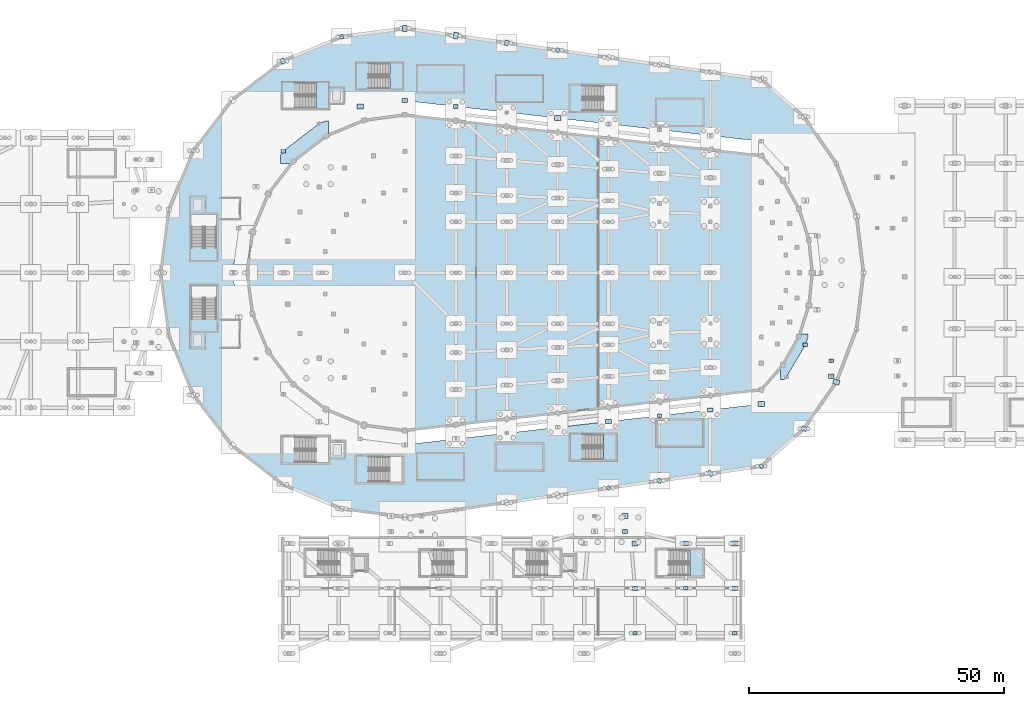
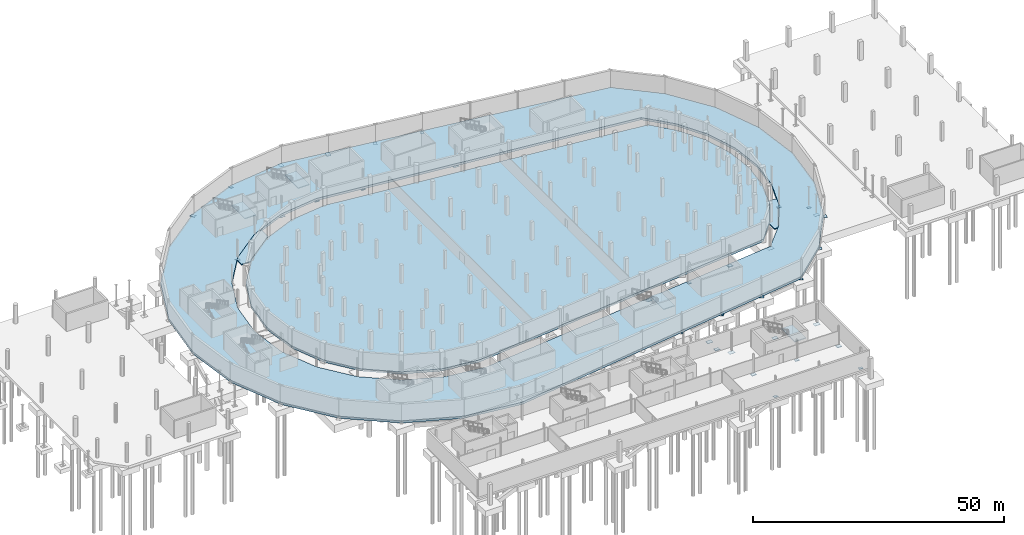
# One storey, part 36 of 55: 34 plates, 8 slabs, 4 elements without a shape of their own.
"""IFC4 building model written with IfcOpenShell, lengths in metres."""

from ifc_helpers import new_model, si_unit, direction, frame, origin, origin_2d, place, context, subcontext, project, spatial, polyline, rectangle, outline, extrude, material, layer, layer_set, type_object, element, aggregate, save


model = new_model("IFC4")

# Units and contexts
model_context = context("Model", 3, precision=1e-05, world=origin(), true_north=direction((0.0, 1.0)))
body_context = subcontext(model_context, "Body", "Model", "MODEL_VIEW")
ifc_project = project(units=[si_unit("LENGTHUNIT", "METRE"), si_unit("AREAUNIT", "SQUARE_METRE"), si_unit("VOLUMEUNIT", "CUBIC_METRE"), si_unit("PLANEANGLEUNIT", "RADIAN"), si_unit("MASSUNIT", "GRAM", prefix="KILO")], contexts=[model_context])

# Site, building, storey
site_placement = place(None, origin())
site = spatial("IfcSite", under=ifc_project, at=site_placement, CompositionType="ELEMENT")
building_placement = place(site_placement, origin())
building = spatial("IfcBuilding", under=site, at=building_placement, Name="Sohan Crest Arena", CompositionType="ELEMENT")
storey_placement = place(building_placement, frame((0.0, 0.0, -4.5)))
storey = spatial("IfcBuildingStorey", under=building, at=storey_placement, Name="B1", CompositionType="ELEMENT", Elevation=-4.5)

# Slabs
ifc_material_1 = material(Name="Concrete C40/50", Category="concrete")
ifc_layer_1 = layer(ifc_material_1, 0.550048828125, Name="Concrete C40/50")
ifc_layer_set_1 = layer_set([ifc_layer_1], Name="Concrete C40/50")
slab_type_1 = type_object("IfcSlabType", Name="SL-BASE2", PredefinedType="BASESLAB", material=ifc_layer_set_1)
slab_1_placement = place(storey_placement, frame((0.0, 0.0, -0.550048828125)))
element("IfcSlab", 1, at=slab_1_placement, inside=storey, type_object=slab_type_1, Name="Arena bowl B1 base slab SL-B1-V1", PredefinedType="BASESLAB", context=body_context, shape_type="SweptSolid", body=[
    extrude(outline(polyline([(98.0, 109.0), (89.97705078125, 107.944091796875), (82.5, 104.846923828125), (76.080078125, 99.919921875), (71.153076171875, 93.5), (68.055908203125, 86.02294921875), (67.0, 78.0), (68.055908203125, 69.97705078125), (71.153076171875, 62.5), (76.080078125, 56.080078125), (82.5, 51.153076171875), (89.97705078125, 48.055908203125), (98.0, 47.0), (168.0, 55.0), (172.242919921875, 59.845947265625), (175.408935546875, 65.455078125), (177.363037109375, 71.593017578125), (178.02294921875, 78.0), (177.363037109375, 84.406982421875), (175.408935546875, 90.544921875), (172.242919921875, 96.154052734375), (168.0, 101.0), (98.0, 109.0)])), origin(), (0.0, 0.0, 1.0), 0.550048828125),
])
slab_2_placement = place(storey_placement, frame((0.0, 0.0, -0.550048828125)))
element("IfcSlab", 2, at=slab_2_placement, inside=storey, type_object=slab_type_1, Name="Concourse ring B1 foundation base slab SL-B1-V2", PredefinedType="BASESLAB", context=body_context, shape_type="SweptSolid", body=[
    extrude(outline(polyline([(98.0, 126.0), (85.576904296875, 124.364013671875), (74.0, 119.569091796875), (64.05908203125, 111.94091796875), (56.430908203125, 102.0), (51.635986328125, 90.423095703125), (50.0, 78.0), (51.635986328125, 65.576904296875), (56.430908203125, 54.0), (64.05908203125, 44.05908203125), (74.0, 36.430908203125), (85.576904296875, 31.635986328125), (98.0, 30.0), (168.0, 40.0), (176.383056640625, 47.35498046875), (182.7490234375, 56.510986328125), (186.72509765625, 66.929931640625), (188.076904296875, 78.0), (186.72509765625, 89.070068359375), (182.7490234375, 99.489013671875), (176.383056640625, 108.64501953125), (168.0, 116.0), (98.0, 126.0)]), holes=[polyline([(98.0, 111.800048828125), (89.251953125, 110.64794921875), (81.10009765625, 107.27197265625), (74.10009765625, 101.89990234375), (68.72802734375, 94.89990234375), (65.35205078125, 86.748046875), (64.199951171875, 78.0), (65.35205078125, 69.251953125), (68.72802734375, 61.10009765625), (74.10009765625, 54.10009765625), (81.10009765625, 48.72802734375), (89.251953125, 45.35205078125), (98.0, 44.199951171875), (168.0, 52.199951171875), (172.9609375, 57.547119140625), (176.674072265625, 63.824951171875), (178.971923828125, 70.748046875), (179.75, 78.0), (178.971923828125, 85.251953125), (176.674072265625, 92.175048828125), (172.9609375, 98.452880859375), (168.0, 103.800048828125), (98.0, 111.800048828125)])]), origin(), (0.0, 0.0, 1.0), 0.550048828125),
])
ifc_layer_2 = layer(ifc_material_1, 0.25, Name="Concrete C40/50")
ifc_layer_set_2 = layer_set([ifc_layer_2], Name="Concrete C40/50")
slab_type_2 = type_object("IfcSlabType", Name="SL-FLR3", PredefinedType="FLOOR", material=ifc_layer_set_2)
slab_3_placement = place(storey_placement, frame((0.0, 0.0, -0.25)))
element("IfcSlab", 3, at=slab_3_placement, inside=storey, type_object=slab_type_2, Name="Seismic joint threshold slab B1 SL-TH-B1-02", PredefinedType="FLOOR", context=body_context, shape_type="SweptSolid", body=[
    extrude(outline(polyline([(74.10009765625, 101.89990234375), (81.10009765625, 107.27197265625), (82.306884765625, 107.77197265625), (83.0, 107.77197265625), (83.0, 105.053955078125), (82.5, 104.846923828125), (76.080078125, 99.919921875), (75.696044921875, 99.419921875), (73.60009765625, 99.419921875), (73.60009765625, 101.248046875), (74.10009765625, 101.89990234375)])), origin(), (0.0, 0.0, 1.0), 0.25),
])
slab_4_placement = place(storey_placement, frame((0.0, 0.0, -0.25)))
element("IfcSlab", 4, at=slab_4_placement, inside=storey, type_object=slab_type_2, Name="Seismic joint threshold slab B1 SL-TH-B1-20", PredefinedType="FLOOR", context=body_context, shape_type="SweptSolid", body=[
    extrude(outline(polyline([(176.674072265625, 63.824951171875), (172.9609375, 57.547119140625), (172.4970703125, 57.047119140625), (171.742919921875, 57.047119140625), (171.742919921875, 59.27490234375), (172.242919921875, 59.845947265625), (175.408935546875, 65.455078125), (175.568115234375, 65.955078125), (177.174072265625, 65.955078125), (177.174072265625, 65.3310546875), (176.674072265625, 63.824951171875)])), origin(), (0.0, 0.0, 1.0), 0.25),
])

# Stair, slab
stair_type_1 = type_object("IfcStairType", Name="ST-450", PredefinedType="TWO_STRAIGHT_RUN_STAIR", material=ifc_material_1)
stair_1_placement = place(storey_placement, origin())
stair_1 = element("IfcStair", 5, at=stair_1_placement, inside=storey, type_object=stair_type_1, Name="Protected exit stair ST04-B1", PredefinedType="TWO_STRAIGHT_RUN_STAIR")
ifc_layer_3 = layer(ifc_material_1, 0.199951171875, Name="Concrete C40/50")
ifc_layer_set_3 = layer_set([ifc_layer_3], Name="Concrete C40/50")
slab_type_3 = type_object("IfcSlabType", Name="SL-LND1", PredefinedType="LANDING", material=ifc_layer_set_3)
slab_5_placement = place(storey_placement, frame((0.0, 0.0, 2.050048828125)))
slab_5 = element("IfcSlab", 6, at=slab_5_placement, type_object=slab_type_3, Name="ST04-B1 landing 1", PredefinedType="LANDING", context=body_context, shape_type="SweptSolid", body=[
    extrude(outline(polyline([(80.530029296875, 110.14990234375), (83.10009765625, 110.14990234375), (83.10009765625, 115.449951171875), (80.530029296875, 115.449951171875), (80.530029296875, 110.14990234375)])), origin(), (0.0, 0.0, 1.0), 0.199951171875),
])
aggregate(stair_1, [slab_5])

stair_type_2 = type_object("IfcStairType", Name="ST-450W", PredefinedType="TWO_STRAIGHT_RUN_STAIR", material=ifc_material_1)
stair_2_placement = place(storey_placement, origin())
stair_2 = element("IfcStair", 7, at=stair_2_placement, inside=storey, type_object=stair_type_2, Name="Protected exit stair ST11-B1", PredefinedType="TWO_STRAIGHT_RUN_STAIR")
slab_6_placement = place(storey_placement, frame((0.0, 0.0, 2.050048828125)))
slab_6 = element("IfcSlab", 8, at=slab_6_placement, type_object=slab_type_3, Name="ST11-B1 landing 1", PredefinedType="LANDING", context=body_context, shape_type="SweptSolid", body=[
    extrude(outline(polyline([(154.030029296875, 18.35009765625), (156.60009765625, 18.35009765625), (156.60009765625, 23.64990234375), (154.030029296875, 23.64990234375), (154.030029296875, 18.35009765625)])), origin(), (0.0, 0.0, 1.0), 0.199951171875),
])
aggregate(stair_2, [slab_6])

stair_3_placement = place(storey_placement, origin())
stair_3 = element("IfcStair", 9, at=stair_3_placement, inside=storey, type_object=stair_type_2, Name="Protected exit stair ST20-B1", PredefinedType="TWO_STRAIGHT_RUN_STAIR")
slab_7_placement = place(storey_placement, frame((0.0, 0.0, 2.050048828125)))
slab_7 = element("IfcSlab", 10, at=slab_7_placement, type_object=slab_type_3, Name="ST20-B1 landing 1", PredefinedType="LANDING", context=body_context, shape_type="SweptSolid", body=[
    extrude(outline(polyline([(95.030029296875, 113.989990234375), (97.60009765625, 113.989990234375), (97.60009765625, 119.2900390625), (95.030029296875, 119.2900390625), (95.030029296875, 113.989990234375)])), origin(), (0.0, 0.0, 1.0), 0.199951171875),
])
aggregate(stair_3, [slab_7])

stair_4_placement = place(storey_placement, origin())
stair_4 = element("IfcStair", 11, at=stair_4_placement, inside=storey, type_object=stair_type_2, Name="Protected exit stair ST21-B1", PredefinedType="TWO_STRAIGHT_RUN_STAIR")
slab_8_placement = place(storey_placement, frame((0.0, 0.0, 2.050048828125)))
slab_8 = element("IfcSlab", 12, at=slab_8_placement, type_object=slab_type_3, Name="ST21-B1 landing 1", PredefinedType="LANDING", context=body_context, shape_type="SweptSolid", body=[
    extrude(outline(polyline([(137.030029296875, 41.10009765625), (139.60009765625, 41.10009765625), (139.60009765625, 46.39990234375), (137.030029296875, 46.39990234375), (137.030029296875, 41.10009765625)])), origin(), (0.0, 0.0, 1.0), 0.199951171875),
])
aggregate(stair_4, [slab_8])

# Plates
ifc_material_2 = material(Name="Steel S355", Category="steel")
ifc_layer_4 = layer(ifc_material_2, 0.031982421875, Name="Steel S355")
ifc_layer_set_4 = layer_set([ifc_layer_4], Name="Steel S355")
plate_type_1 = type_object("IfcPlateType", Name="STR-PL-BP01", PredefinedType="USERDEFINED", material=ifc_layer_set_4)
for number, where, z_axis, x_axis, name in (
    (13, (148.0, 49.9140625, -0.5498046875), (0.0, 0.0, 1.0), (1.0, 0.0, 0.0), "Steel column base plate BP-V2I-18"),
    (14, (85.576904296875, 124.364013671875, -0.5498046875), (0.0, 0.0, 1.0), (-0.258819045103, 0.965925826289, 0.0), "Steel column base plate BP-V2O-02"),
    (15, (168.0, 40.0, -0.5498046875), (0.0, 0.0, 1.0), (-0.878817112662, 0.47715876026, 0.0), "Steel column base plate BP-V2O-20"),
    (16, (128.0, 121.714111328125, -0.5498046875), (0.0, 0.0, 1.0), (0.566406236925, 0.824126188622, 0.0), "Steel column base plate BP-V2O-32"),
    (17, (143.199951171875, 7.199951171875, -0.5498046875), (0.0, 0.0, 1.0), (1.0, 0.0, 0.0), "Steel column base plate BP-V5C-08-1"),
    (18, (162.800048828125, 7.199951171875, -0.5498046875), (0.0, 0.0, 1.0), (1.0, 0.0, 0.0), "Steel column base plate BP-V5C-10-1"),
    (19, (181.75, 60.699951171875, -0.5498046875), (0.0, 0.0, 1.0), (1.0, 0.0, 0.0), "Steel column base plate BP-BC-BR-E1-2"),
):
    element("IfcPlate", number, at=place(storey_placement, frame(where, z_axis=z_axis, x_axis=x_axis)), inside=storey, type_object=plate_type_1, Name=name, ObjectType="BASE PLATE", PredefinedType="USERDEFINED", context=body_context, shape_type="SweptSolid", body=[
        extrude(rectangle(XDim=0.85009765625, YDim=0.64990234375, at=origin_2d()), origin(), (0.0, 0.0, 1.0), 0.031982421875),
    ])
ifc_layer_5 = layer(ifc_material_2, 0.034912109375, Name="Steel S355")
ifc_layer_set_5 = layer_set([ifc_layer_5], Name="Steel S355")
plate_type_2 = type_object("IfcPlateType", Name="STR-PL-BP02", PredefinedType="USERDEFINED", material=ifc_layer_set_5)
for number, where, z_axis, x_axis, name in (
    (20, (98.0, 111.800048828125, -0.54931640625), (0.0, 0.0, 1.0), (1.0, 0.0, 0.0), "Steel column base plate BP-V2I-01"),
    (21, (158.0, 51.056884765625, -0.54931640625), (0.0, 0.0, 1.0), (1.0, 0.0, 0.0), "Steel column base plate BP-V2I-19"),
    (22, (74.0, 119.569091796875, -0.54931640625), (0.0, 0.0, 1.0), (-0.5, 0.866025403784, 0.0), "Steel column base plate BP-V2O-03"),
    (23, (176.383056640625, 47.35498046875, -0.54931640625), (0.0, 0.0, 1.0), (-0.931055815863, 0.364876784338, 0.0), "Steel column base plate BP-V2O-21"),
    (24, (118.0, 123.14306640625, -0.54931640625), (0.0, 0.0, 1.0), (0.40514158678, 0.914253955234, 0.0), "Steel column base plate BP-V2O-33"),
    (25, (143.199951171875, 16.0, -0.54931640625), (0.0, 0.0, 1.0), (1.0, 0.0, 0.0), "Steel column base plate BP-V5C-08-2"),
    (26, (162.800048828125, 16.0, -0.54931640625), (0.0, 0.0, 1.0), (1.0, 0.0, 0.0), "Steel column base plate BP-V5C-10-2"),
    (27, (141.25, 27.199951171875, -0.54931640625), (0.0, 0.0, 1.0), (1.0, 0.0, 0.0), "Steel column base plate BP-BC-BR-S2-3"),
):
    element("IfcPlate", number, at=place(storey_placement, frame(where, z_axis=z_axis, x_axis=x_axis)), inside=storey, type_object=plate_type_2, Name=name, ObjectType="BASE PLATE", PredefinedType="USERDEFINED", context=body_context, shape_type="SweptSolid", body=[
        extrude(rectangle(XDim=1.050048828125, YDim=0.800048828125, at=origin_2d()), origin(), (0.0, 0.0, 1.0), 0.034912109375),
    ])
ifc_layer_6 = layer(ifc_material_2, 0.034912109375, Name="Steel S355")
ifc_layer_set_6 = layer_set([ifc_layer_6], Name="Steel S355")
plate_type_3 = type_object("IfcPlateType", Name="STR-PL-BP03", PredefinedType="USERDEFINED", material=ifc_layer_set_6)
for number, where, z_axis, x_axis, name in (
    (28, (89.251953125, 110.64794921875, -0.54931640625), (0.0, 0.0, 1.0), (1.0, 0.0, 0.0), "Steel column base plate BP-V2I-02"),
    (29, (168.0, 52.199951171875, -0.54931640625), (0.0, 0.0, 1.0), (1.0, 0.0, 0.0), "Steel column base plate BP-V2I-20"),
    (30, (128.0, 108.37109375, -0.54931640625), (0.0, 0.0, 1.0), (1.0, 0.0, 0.0), "Steel column base plate BP-V2I-32"),
    (31, (182.7490234375, 56.510986328125, -0.54931640625), (0.0, 0.0, 1.0), (-0.969445349895, 0.245307385879, 0.0), "Steel column base plate BP-V2O-22"),
    (32, (108.0, 124.571044921875, -0.54931640625), (0.0, 0.0, 1.0), (0.209618562904, 0.977783236759, 0.0), "Steel column base plate BP-V2O-34"),
    (33, (143.199951171875, 24.800048828125, -0.54931640625), (0.0, 0.0, 1.0), (1.0, 0.0, 0.0), "Steel column base plate BP-V5C-08-3"),
    (34, (162.800048828125, 24.800048828125, -0.54931640625), (0.0, 0.0, 1.0), (1.0, 0.0, 0.0), "Steel column base plate BP-V5C-10-3"),
    (35, (141.25, 30.199951171875, -0.54931640625), (0.0, 0.0, 1.0), (1.0, 0.0, 0.0), "Steel column base plate BP-BC-BR-S2-4"),
):
    element("IfcPlate", number, at=place(storey_placement, frame(where, z_axis=z_axis, x_axis=x_axis)), inside=storey, type_object=plate_type_3, Name=name, ObjectType="BASE PLATE", PredefinedType="USERDEFINED", context=body_context, shape_type="SweptSolid", body=[
        extrude(rectangle(XDim=1.25, YDim=0.949951171875, at=origin_2d()), origin(), (0.0, 0.0, 1.0), 0.034912109375),
    ])
ifc_layer_7 = layer(ifc_material_2, 0.030029296875, Name="Steel S355")
ifc_layer_set_7 = layer_set([ifc_layer_7], Name="Steel S355")
plate_type_4 = type_object("IfcPlateType", Name="STR-PL-BP04", PredefinedType="USERDEFINED", material=ifc_layer_set_7)
plate_placement = place(storey_placement, frame((138.0, 35.714111328125, -0.5498046875), z_axis=(0.0, 0.0, 1.0), x_axis=(-0.687087510804, 0.726574670971, 0.0)))
element("IfcPlate", 36, at=plate_placement, inside=storey, type_object=plate_type_4, Name="Steel column base plate BP-V2O-17", ObjectType="BASE PLATE", PredefinedType="USERDEFINED", context=body_context, shape_type="SweptSolid", body=[
    extrude(rectangle(XDim=0.760009765625, YDim=0.580078125, at=origin_2d()), origin(), (0.0, 0.0, 1.0), 0.030029296875),
])
ifc_layer_8 = layer(ifc_material_2, 0.032958984375, Name="Steel S355")
ifc_layer_set_8 = layer_set([ifc_layer_8], Name="Steel S355")
plate_type_5 = type_object("IfcPlateType", Name="STR-PL-BP05", PredefinedType="USERDEFINED", material=ifc_layer_set_8)
for number, where, z_axis, x_axis, name in (
    (37, (74.10009765625, 101.89990234375, -0.55029296875), (0.0, 0.0, 1.0), (1.0, 0.0, 0.0), "Steel column base plate BP-V2I-04"),
    (38, (176.674072265625, 63.824951171875, -0.55029296875), (0.0, 0.0, 1.0), (1.0, 0.0, 0.0), "Steel column base plate BP-V2I-22"),
    (39, (108.0, 110.656982421875, -0.55029296875), (0.0, 0.0, 1.0), (1.0, 0.0, 0.0), "Steel column base plate BP-V2I-34"),
    (40, (148.0, 37.14306640625, -0.55029296875), (0.0, 0.0, 1.0), (-0.773840209727, 0.633380872628, 0.0), "Steel column base plate BP-V2O-18"),
    (41, (153.199951171875, 16.0, -0.55029296875), (0.0, 0.0, 1.0), (1.0, 0.0, 0.0), "Steel column base plate BP-V5C-09-2"),
):
    element("IfcPlate", number, at=place(storey_placement, frame(where, z_axis=z_axis, x_axis=x_axis)), inside=storey, type_object=plate_type_5, Name=name, ObjectType="BASE PLATE", PredefinedType="USERDEFINED", context=body_context, shape_type="SweptSolid", body=[
        extrude(rectangle(XDim=0.919921875, YDim=0.699951171875, at=origin_2d()), origin(), (0.0, 0.0, 1.0), 0.032958984375),
    ])
ifc_layer_9 = layer(ifc_material_2, 0.035888671875, Name="Steel S355")
ifc_layer_set_9 = layer_set([ifc_layer_9], Name="Steel S355")
plate_type_6 = type_object("IfcPlateType", Name="STR-PL-BP06", PredefinedType="USERDEFINED", material=ifc_layer_set_9)
for number, where, z_axis, x_axis, name in (
    (42, (138.0, 48.77099609375, -0.5498046875), (0.0, 0.0, 1.0), (1.0, 0.0, 0.0), "Steel column base plate BP-V2I-17"),
    (43, (98.0, 126.0, -0.5498046875), (0.0, 0.0, 1.0), (0.0, 1.0, 0.0), "Steel column base plate BP-V2O-01"),
    (44, (158.0, 38.571044921875, -0.5498046875), (0.0, 0.0, 1.0), (-0.835807361368, 0.549022817998, 0.0), "Steel column base plate BP-V2O-19"),
    (45, (153.199951171875, 24.800048828125, -0.5498046875), (0.0, 0.0, 1.0), (1.0, 0.0, 0.0), "Steel column base plate BP-V5C-09-3"),
    (46, (181.75, 57.699951171875, -0.5498046875), (0.0, 0.0, 1.0), (1.0, 0.0, 0.0), "Steel column base plate BP-BC-BR-E1-1"),
):
    element("IfcPlate", number, at=place(storey_placement, frame(where, z_axis=z_axis, x_axis=x_axis)), inside=storey, type_object=plate_type_6, Name=name, ObjectType="BASE PLATE", PredefinedType="USERDEFINED", context=body_context, shape_type="SweptSolid", body=[
        extrude(rectangle(XDim=1.1201171875, YDim=0.860107421875, at=origin_2d()), origin(), (0.0, 0.0, 1.0), 0.035888671875),
    ])

save(model, "model.ifc")
